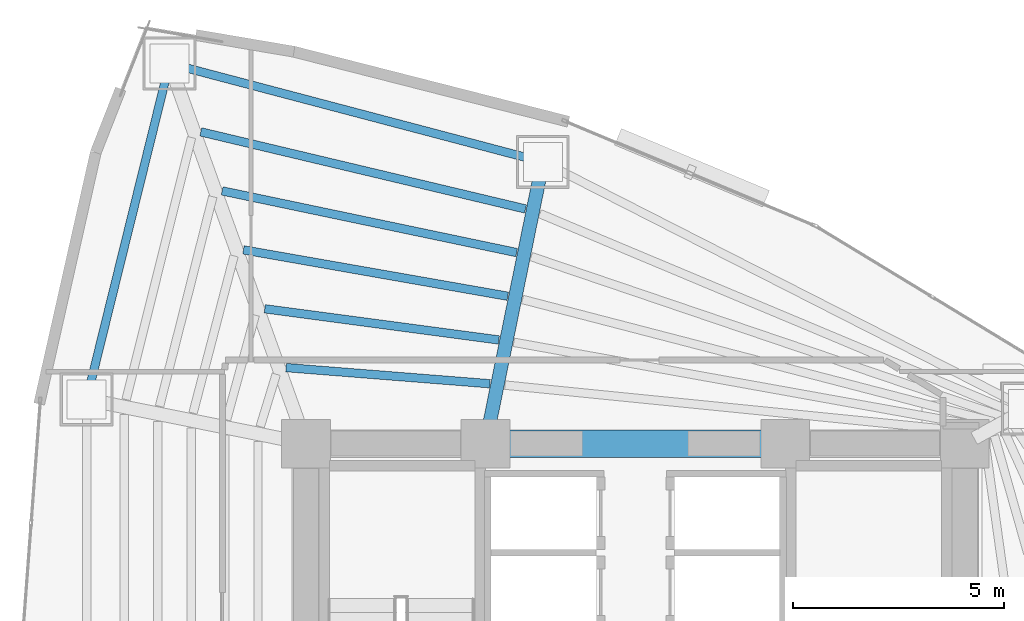
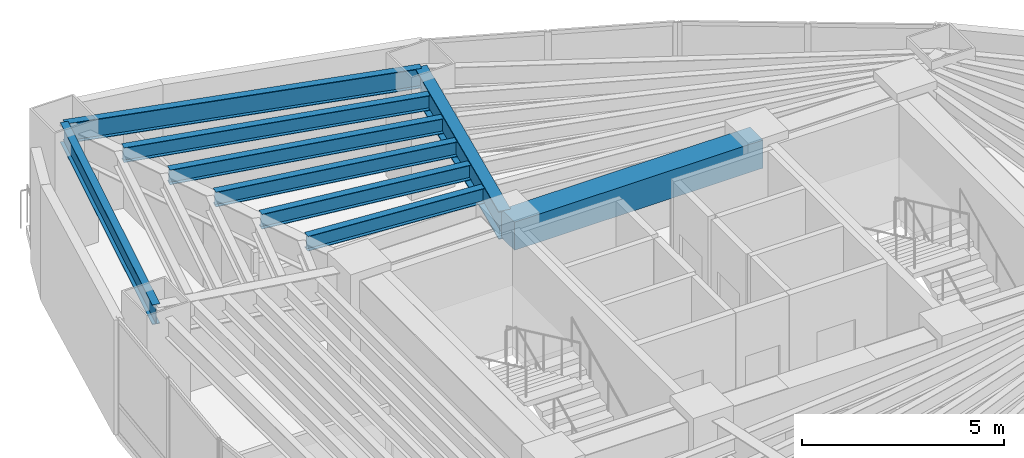
# One storey, part 8 of 16: 9 beams.
"""IFC4 building model written with IfcOpenShell, lengths in metres."""

from ifc_helpers import new_model, si_unit, direction, frame, origin, origin_2d, place, context, subcontext, project, spatial, rectangle, i_section, extrude, material, material_profile, profile_set, type_object, element, save


model = new_model("IFC4")

# Units and contexts
model_context = context("Model", 3, precision=1e-05, world=origin(), true_north=direction((0.0, 1.0)))
body_context = subcontext(model_context, "Body", "Model", "MODEL_VIEW")
ifc_project = project(units=[si_unit("LENGTHUNIT", "METRE"), si_unit("AREAUNIT", "SQUARE_METRE"), si_unit("VOLUMEUNIT", "CUBIC_METRE"), si_unit("PLANEANGLEUNIT", "RADIAN"), si_unit("MASSUNIT", "GRAM", prefix="KILO")], contexts=[model_context])

# Site, building, storey
site_placement = place(None, origin())
site = spatial("IfcSite", under=ifc_project, at=site_placement, CompositionType="ELEMENT")
building_placement = place(site_placement, origin())
building = spatial("IfcBuilding", under=site, at=building_placement, Name="Menara Vayukalpa", CompositionType="ELEMENT")
storey_placement = place(building_placement, frame((0.0, 0.0, 72.239990234375)))
storey = spatial("IfcBuildingStorey", under=building, at=storey_placement, Name="L17", CompositionType="ELEMENT", Elevation=72.239990234375)

# Beams
ifc_material_1 = material(Name="Concrete C60/75", Category="concrete")
ifc_material_profile_1 = material_profile(ifc_material_1, rectangle(XDim=0.64990234375, YDim=0.85009765625, at=origin_2d()), Name="RC 650x850")
ifc_profile_set_1 = profile_set([ifc_material_profile_1], Name="Concrete C60/75")
beam_type_1 = type_object("IfcBeamType", Name="BM-CB1", PredefinedType="BEAM", material=ifc_profile_set_1)
beam_1_placement = place(storey_placement, frame((22.050048828125, 26.800048828125, 3.044921875), z_axis=(1.0, 0.0, 0.0), x_axis=(0.0, 1.0, 0.0)))
element("IfcBeam", 1, at=beam_1_placement, inside=storey, type_object=beam_type_1, Name="L17 Core Tie Beam CBR5", PredefinedType="BEAM", context=body_context, shape_type="SweptSolid", body=[
    extrude(rectangle(XDim=0.64990234375, YDim=0.85009765625, at=origin_2d()), origin(), (0.0, 0.0, 1.0), 7.099853515625),
])
ifc_material_2 = material(Name="Steel S355", Category="steel")
ifc_material_profile_2 = material_profile(ifc_material_2, i_section(OverallWidth=0.320068359375, OverallDepth=0.85009765625, WebThickness=0.01611328125, FlangeThickness=0.030029296875, at=origin_2d()), Name="WF 850x320x16x30")
ifc_profile_set_2 = profile_set([ifc_material_profile_2], Name="Steel S355")
beam_type_2 = type_object("IfcBeamType", Name="BM-PG2", PredefinedType="BEAM", material=ifc_profile_set_2)
beam_2_placement = place(storey_placement, frame((22.099853515625, 27.044921875, 3.044921875), z_axis=(0.199617728418, 0.9798738503, 0.0), x_axis=(-0.9798738503, 0.199617728418, 0.0)))
element("IfcBeam", 2, at=beam_2_placement, inside=storey, type_object=beam_type_2, Name="L17 Primary Radial Girder RG03", PredefinedType="BEAM", context=body_context, shape_type="SweptSolid", body=[
    extrude(i_section(OverallWidth=0.320068359375, OverallDepth=0.85009765625, WebThickness=0.01611328125, FlangeThickness=0.030029296875, at=origin_2d()), origin(), (0.0, 0.0, 1.0), 6.55419921875),
])
ifc_material_3 = material(Name="Steel S355", Category="steel")
ifc_material_profile_3 = material_profile(ifc_material_3, i_section(OverallWidth=0.199951171875, OverallDepth=0.449951171875, WebThickness=0.009033203125, FlangeThickness=0.013916015625, at=origin_2d()), Name="WF 450x200x9x14")
ifc_profile_set_3 = profile_set([ifc_material_profile_3], Name="Steel S355")
beam_type_3 = type_object("IfcBeamType", Name="BM-SJ1", PredefinedType="JOIST", material=ifc_profile_set_3)
beam_3_placement = place(storey_placement, frame((22.156005859375, 28.21533203125, 3.2451171875), z_axis=(-0.996870502758, 0.079051886326, 0.0), x_axis=(-0.079051886326, -0.996870502758, 0.0)))
element("IfcBeam", 3, at=beam_3_placement, inside=storey, type_object=beam_type_3, Name="L17 Secondary Floor Joist SJ03-1", PredefinedType="JOIST", context=body_context, shape_type="SweptSolid", body=[
    extrude(i_section(OverallWidth=0.199951171875, OverallDepth=0.449951171875, WebThickness=0.009033203125, FlangeThickness=0.013916015625, at=origin_2d()), origin(), (0.0, 0.0, 1.0), 4.842529296875),
])
beam_4_placement = place(storey_placement, frame((22.3662109375, 29.25244140625, 3.2451171875), z_axis=(-0.991248863782, 0.132006401551, 0.0), x_axis=(-0.132006401551, -0.991248863782, 0.0)))
element("IfcBeam", 4, at=beam_4_placement, inside=storey, type_object=beam_type_3, Name="L17 Secondary Floor Joist SJ03-2", PredefinedType="JOIST", context=body_context, shape_type="SweptSolid", body=[
    extrude(i_section(OverallWidth=0.199951171875, OverallDepth=0.449951171875, WebThickness=0.009033203125, FlangeThickness=0.013916015625, at=origin_2d()), origin(), (0.0, 0.0, 1.0), 5.5908203125),
])
beam_5_placement = place(storey_placement, frame((22.576904296875, 30.287353515625, 3.2451171875), z_axis=(-0.984953696719, 0.172818446123, 0.0), x_axis=(-0.172818446123, -0.984953696719, 0.0)))
element("IfcBeam", 5, at=beam_5_placement, inside=storey, type_object=beam_type_3, Name="L17 Secondary Floor Joist SJ03-3", PredefinedType="JOIST", context=body_context, shape_type="SweptSolid", body=[
    extrude(i_section(OverallWidth=0.199951171875, OverallDepth=0.449951171875, WebThickness=0.009033203125, FlangeThickness=0.013916015625, at=origin_2d()), origin(), (0.0, 0.0, 1.0), 6.35302734375),
])
beam_6_placement = place(storey_placement, frame((22.787109375, 31.32080078125, 3.2451171875), z_axis=(-0.978749690575, 0.205058633565, 0.0), x_axis=(-0.205058633565, -0.978749690575, 0.0)))
element("IfcBeam", 6, at=beam_6_placement, inside=storey, type_object=beam_type_3, Name="L17 Secondary Floor Joist SJ03-4", PredefinedType="JOIST", context=body_context, shape_type="SweptSolid", body=[
    extrude(i_section(OverallWidth=0.199951171875, OverallDepth=0.449951171875, WebThickness=0.009033203125, FlangeThickness=0.013916015625, at=origin_2d()), origin(), (0.0, 0.0, 1.0), 7.123291015625),
])
beam_7_placement = place(storey_placement, frame((22.99755859375, 32.35302734375, 3.2451171875), z_axis=(-0.97293602969, 0.231074624596, 0.0), x_axis=(-0.231074624596, -0.97293602969, 0.0)))
element("IfcBeam", 7, at=beam_7_placement, inside=storey, type_object=beam_type_3, Name="L17 Secondary Floor Joist SJ03-5", PredefinedType="JOIST", context=body_context, shape_type="SweptSolid", body=[
    extrude(i_section(OverallWidth=0.199951171875, OverallDepth=0.449951171875, WebThickness=0.009033203125, FlangeThickness=0.013916015625, at=origin_2d()), origin(), (0.0, 0.0, 1.0), 7.90087890625),
])
ifc_material_4 = material(Name="Steel S355", Category="steel")
ifc_material_profile_4 = material_profile(ifc_material_4, i_section(OverallWidth=0.199951171875, OverallDepth=0.60009765625, WebThickness=0.010986328125, FlangeThickness=0.01708984375, at=origin_2d()), Name="WF 600x200x11x17")
ifc_profile_set_4 = profile_set([ifc_material_profile_4], Name="Steel S355")
beam_type_4 = type_object("IfcBeamType", Name="BM-SP1", PredefinedType="SPANDREL", material=ifc_profile_set_4)
beam_8_placement = place(storey_placement, frame((23.408203125, 33.46728515625, 3.169921875), z_axis=(-0.966966857313, 0.254902131921, 0.0), x_axis=(-0.254902131921, -0.966966857313, 0.0)))
element("IfcBeam", 8, at=beam_8_placement, inside=storey, type_object=beam_type_4, Name="L17 Perimeter Spandrel Beam SP03", PredefinedType="SPANDREL", context=body_context, shape_type="SweptSolid", body=[
    extrude(i_section(OverallWidth=0.199951171875, OverallDepth=0.60009765625, WebThickness=0.010986328125, FlangeThickness=0.01708984375, at=origin_2d()), origin(), (0.0, 0.0, 1.0), 9.14111328125),
])
beam_9_placement = place(storey_placement, frame((14.569091796875, 35.79736328125, 3.169921875), z_axis=(-0.239602739234, -0.970871014786, 0.0), x_axis=(0.970871014786, -0.239602739234, 0.0)))
element("IfcBeam", 9, at=beam_9_placement, inside=storey, type_object=beam_type_4, Name="L17 Perimeter Spandrel Beam SP04", PredefinedType="SPANDREL", context=body_context, shape_type="SweptSolid", body=[
    extrude(i_section(OverallWidth=0.199951171875, OverallDepth=0.60009765625, WebThickness=0.010986328125, FlangeThickness=0.01708984375, at=origin_2d()), origin(), (0.0, 0.0, 1.0), 8.190185546875),
])

save(model, "model.ifc")
